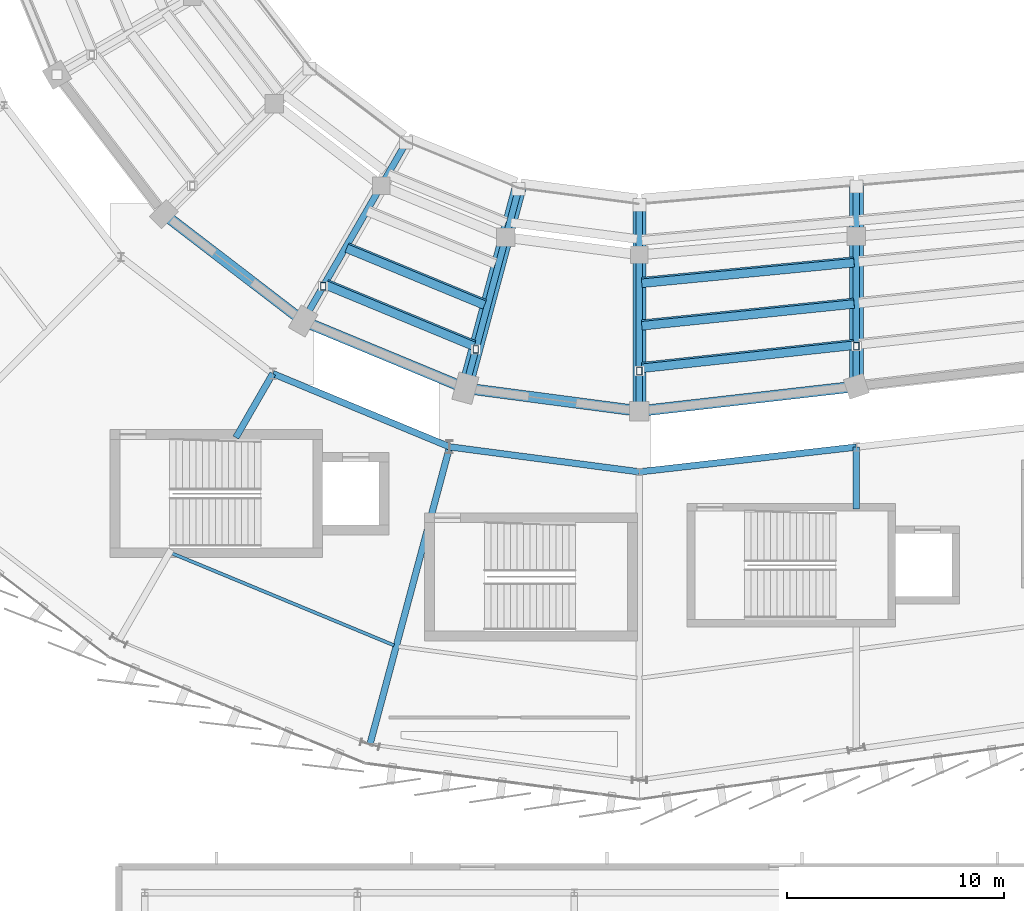
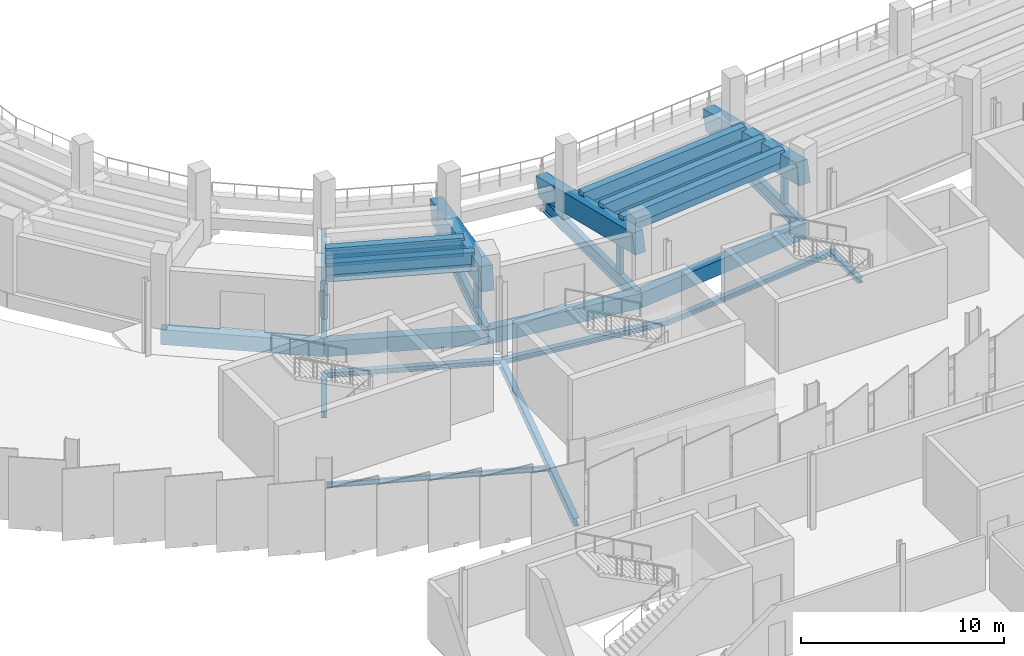
# One storey, part 37 of 120: 28 beams, 4 members.
"""IFC4 building model written with IfcOpenShell, lengths in metres."""

from ifc_helpers import new_model, si_unit, direction, frame, origin, origin_2d, place, context, subcontext, project, spatial, rectangle, hollow_rectangle, i_section, extrude, material, material_profile, profile_set, type_object, element, save


model = new_model("IFC4")

# Units and contexts
model_context = context("Model", 3, precision=1e-05, world=origin(), true_north=direction((0.0, 1.0)))
body_context = subcontext(model_context, "Body", "Model", "MODEL_VIEW")
ifc_project = project(units=[si_unit("LENGTHUNIT", "METRE"), si_unit("AREAUNIT", "SQUARE_METRE"), si_unit("VOLUMEUNIT", "CUBIC_METRE"), si_unit("PLANEANGLEUNIT", "RADIAN"), si_unit("MASSUNIT", "GRAM", prefix="KILO")], contexts=[model_context])

# Site, building, storey
site_placement = place(None, origin())
site = spatial("IfcSite", under=ifc_project, at=site_placement, CompositionType="ELEMENT")
building_placement = place(site_placement, origin())
building = spatial("IfcBuilding", under=site, at=building_placement, Name="Sohan Crest Arena", CompositionType="ELEMENT")
storey_placement = place(building_placement, frame((0.0, 0.0, 13.5)))
storey = spatial("IfcBuildingStorey", under=building, at=storey_placement, Name="L03", CompositionType="ELEMENT", Elevation=13.5)

# Beams
ifc_material_1 = material(Name="Steel S355", Category="steel")
ifc_material_profile_1 = material_profile(ifc_material_1, i_section(OverallWidth=0.14990234375, OverallDepth=0.300048828125, WebThickness=0.007080078125, FlangeThickness=0.0107421875, at=origin_2d()), Name="IPE 300")
ifc_profile_set_1 = profile_set([ifc_material_profile_1], Name="Steel S355")
beam_type_1 = type_object("IfcBeamType", Name="STR-BM-B01", PredefinedType="JOIST", material=ifc_profile_set_1)
beam_1_placement = place(storey_placement, frame((76.445068359375, 40.447021484375, -0.39990234375), z_axis=(0.923874316241, -0.382696025312, 0.0), x_axis=(0.382696025312, 0.923874316241, 0.0)))
element("IfcBeam", 1, at=beam_1_placement, inside=storey, type_object=beam_type_1, Name="Structural beam J-L03-1442", PredefinedType="JOIST", context=body_context, shape_type="SweptSolid", body=[
    extrude(i_section(OverallWidth=0.14990234375, OverallDepth=0.300048828125, WebThickness=0.007080078125, FlangeThickness=0.0107421875, at=origin_2d()), origin(), (0.0, 0.0, 1.0), 11.0869140625),
])
ifc_material_profile_2 = material_profile(ifc_material_1, i_section(OverallWidth=0.300048828125, OverallDepth=0.300048828125, WebThickness=0.010986328125, FlangeThickness=0.01904296875, at=origin_2d()), Name="HEB 300")
ifc_profile_set_2 = profile_set([ifc_material_profile_2], Name="Steel S355")
beam_type_2 = type_object("IfcBeamType", Name="STR-BM-B12", PredefinedType="BEAM", material=ifc_profile_set_2)
beam_2_placement = place(storey_placement, frame((81.10009765625, 48.72802734375, -0.39990234375), z_axis=(0.923904876385, -0.38262224111, 0.0), x_axis=(0.38262224111, 0.923904876385, 0.0)))
element("IfcBeam", 2, at=beam_2_placement, inside=storey, type_object=beam_type_2, Name="Structural beam G-L03-1440", PredefinedType="BEAM", context=body_context, shape_type="SweptSolid", body=[
    extrude(i_section(OverallWidth=0.300048828125, OverallDepth=0.300048828125, WebThickness=0.010986328125, FlangeThickness=0.01904296875, at=origin_2d()), origin(), (0.0, 0.0, 1.0), 8.8232421875),
])
beam_3_placement = place(storey_placement, frame((89.251953125, 45.35205078125, -0.39990234375), z_axis=(0.991439032147, -0.130570461953, 0.0), x_axis=(0.130570461953, 0.991439032147, 0.0)))
element("IfcBeam", 3, at=beam_3_placement, inside=storey, type_object=beam_type_2, Name="Structural beam G-L03-1444", PredefinedType="BEAM", context=body_context, shape_type="SweptSolid", body=[
    extrude(i_section(OverallWidth=0.300048828125, OverallDepth=0.300048828125, WebThickness=0.010986328125, FlangeThickness=0.01904296875, at=origin_2d()), origin(), (0.0, 0.0, 1.0), 8.823486328125),
])
beam_4_placement = place(storey_placement, frame((98.0, 44.199951171875, -0.39990234375), z_axis=(0.99353032697, 0.113567114035, 0.0), x_axis=(-0.113567114035, 0.99353032697, 0.0)))
element("IfcBeam", 4, at=beam_4_placement, inside=storey, type_object=beam_type_2, Name="Structural beam G-L03-1448", PredefinedType="BEAM", context=body_context, shape_type="SweptSolid", body=[
    extrude(i_section(OverallWidth=0.300048828125, OverallDepth=0.300048828125, WebThickness=0.010986328125, FlangeThickness=0.01904296875, at=origin_2d()), origin(), (0.0, 0.0, 1.0), 10.065185546875),
])
beam_5_placement = place(storey_placement, frame((108.0, 45.343017578125, -0.39990234375), z_axis=(0.0, -1.0, 0.0), x_axis=(1.0, 0.0, 0.0)))
element("IfcBeam", 5, at=beam_5_placement, inside=storey, type_object=beam_type_2, Name="Structural beam G-L03-1451", PredefinedType="BEAM", context=body_context, shape_type="SweptSolid", body=[
    extrude(i_section(OverallWidth=0.300048828125, OverallDepth=0.300048828125, WebThickness=0.010986328125, FlangeThickness=0.01904296875, at=origin_2d()), origin(), (0.0, 0.0, 1.0), 2.863037109375),
])
ifc_material_profile_3 = material_profile(ifc_material_1, i_section(OverallWidth=0.300048828125, OverallDepth=0.39990234375, WebThickness=0.013427734375, FlangeThickness=0.02392578125, at=origin_2d()), Name="HEB 400")
ifc_profile_set_3 = profile_set([ifc_material_profile_3], Name="Steel S355")
beam_type_3 = type_object("IfcBeamType", Name="STR-BM-B13", PredefinedType="BEAM", material=ifc_profile_set_3)
beam_6_placement = place(storey_placement, frame((81.10009765625, 48.72802734375, -0.449951171875), z_axis=(-0.500026652407, -0.866010015463, 0.0), x_axis=(0.866010015463, -0.500026652407, 0.0)))
element("IfcBeam", 6, at=beam_6_placement, inside=storey, type_object=beam_type_3, Name="Structural beam G-L03-1438", PredefinedType="BEAM", context=body_context, shape_type="SweptSolid", body=[
    extrude(i_section(OverallWidth=0.300048828125, OverallDepth=0.39990234375, WebThickness=0.013427734375, FlangeThickness=0.02392578125, at=origin_2d()), origin(), (0.0, 0.0, 1.0), 3.404052734375),
])
ifc_material_profile_4 = material_profile(ifc_material_1, i_section(OverallWidth=0.300048828125, OverallDepth=0.5, WebThickness=0.014404296875, FlangeThickness=0.028076171875, at=origin_2d()), Name="HEB 500")
ifc_profile_set_4 = profile_set([ifc_material_profile_4], Name="Steel S355")
beam_type_4 = type_object("IfcBeamType", Name="STR-BM-B14", PredefinedType="BEAM", material=ifc_profile_set_4)
beam_7_placement = place(storey_placement, frame((89.251953125, 45.35205078125, -0.5), z_axis=(-0.258808560729, -0.965928635508, 0.0), x_axis=(0.965928635508, -0.258808560729, 0.0)))
element("IfcBeam", 7, at=beam_7_placement, inside=storey, type_object=beam_type_4, Name="Structural beam G-L03-1443", PredefinedType="BEAM", context=body_context, shape_type="SweptSolid", body=[
    extrude(i_section(OverallWidth=0.300048828125, OverallDepth=0.5, WebThickness=0.014404296875, FlangeThickness=0.028076171875, at=origin_2d()), origin(), (0.0, 0.0, 1.0), 14.199951171875),
])
ifc_material_profile_5 = material_profile(ifc_material_1, i_section(OverallWidth=0.300048828125, OverallDepth=0.800048828125, WebThickness=0.017578125, FlangeThickness=0.032958984375, at=origin_2d()), Name="HEB 800")
ifc_profile_set_5 = profile_set([ifc_material_profile_5], Name="Steel S355")
beam_type_5 = type_object("IfcBeamType", Name="STR-BM-B17", PredefinedType="BEAM", material=ifc_profile_set_5)
beam_8_placement = place(storey_placement, frame((82.5, 51.153076171875, -0.64990234375), z_axis=(0.49996417568, 0.866046085977, 0.0), x_axis=(-0.866046085977, 0.49996417568, 0.0)))
element("IfcBeam", 8, at=beam_8_placement, inside=storey, type_object=beam_type_5, Name="Structural beam GC-L03-0842", PredefinedType="BEAM", context=body_context, shape_type="SweptSolid", body=[
    extrude(i_section(OverallWidth=0.300048828125, OverallDepth=0.800048828125, WebThickness=0.017578125, FlangeThickness=0.032958984375, at=origin_2d()), origin(), (0.0, 0.0, 1.0), 9.500732421875),
])
beam_9_placement = place(storey_placement, frame((89.97705078125, 48.055908203125, -0.64990234375), z_axis=(0.258724524678, 0.965951148004, 0.0), x_axis=(-0.965951148004, 0.258724524678, 0.0)))
element("IfcBeam", 9, at=beam_9_placement, inside=storey, type_object=beam_type_5, Name="Structural beam GC-L03-0845", PredefinedType="BEAM", context=body_context, shape_type="SweptSolid", body=[
    extrude(i_section(OverallWidth=0.300048828125, OverallDepth=0.800048828125, WebThickness=0.017578125, FlangeThickness=0.032958984375, at=origin_2d()), origin(), (0.0, 0.0, 1.0), 9.50048828125),
])
beam_10_placement = place(storey_placement, frame((98.0, 47.0, -0.64990234375), z_axis=(0.0, 1.0, 0.0), x_axis=(-1.0, 0.0, 0.0)))
element("IfcBeam", 10, at=beam_10_placement, inside=storey, type_object=beam_type_5, Name="Structural beam GC-L03-0848", PredefinedType="BEAM", context=body_context, shape_type="SweptSolid", body=[
    extrude(i_section(OverallWidth=0.300048828125, OverallDepth=0.800048828125, WebThickness=0.017578125, FlangeThickness=0.032958984375, at=origin_2d()), origin(), (0.0, 0.0, 1.0), 9.5),
])
beam_11_placement = place(storey_placement, frame((108.0, 48.14306640625, -0.64990234375), z_axis=(0.0, 1.0, 0.0), x_axis=(-1.0, 0.0, 0.0)))
element("IfcBeam", 11, at=beam_11_placement, inside=storey, type_object=beam_type_5, Name="Structural beam GC-L03-0851", PredefinedType="BEAM", context=body_context, shape_type="SweptSolid", body=[
    extrude(i_section(OverallWidth=0.300048828125, OverallDepth=0.800048828125, WebThickness=0.017578125, FlangeThickness=0.032958984375, at=origin_2d()), origin(), (0.0, 0.0, 1.0), 9.2138671875),
])
ifc_material_2 = material(Name="Precast concrete C50/60", Category="concrete")
ifc_material_profile_6 = material_profile(ifc_material_2, rectangle(XDim=0.60009765625, YDim=1.199951171875, at=origin_2d()), Name="RAKER 600x1200")
ifc_profile_set_6 = profile_set([ifc_material_profile_6], Name="Precast concrete C50/60")
beam_type_6 = type_object("IfcBeamType", Name="STR-BM-RK04", PredefinedType="USERDEFINED", material=ifc_profile_set_6)
beam_12_placement = place(storey_placement, frame((98.0, 56.5, 0.35009765625), z_axis=(0.0, -0.971925616524, 0.235288325135), x_axis=(1.0, 0.0, 0.0)))
element("IfcBeam", 12, at=beam_12_placement, inside=storey, type_object=beam_type_6, Name="Structural beam RKU-L03-0849", ObjectType="RAKER", PredefinedType="USERDEFINED", context=body_context, shape_type="SweptSolid", body=[
    extrude(rectangle(XDim=0.60009765625, YDim=1.199951171875, at=origin_2d()), origin(), (0.0, 0.0, 1.0), 9.7744140625),
])
ifc_material_profile_7 = material_profile(ifc_material_2, rectangle(XDim=0.64990234375, YDim=1.25, at=origin_2d()), Name="RAKER 650x1250")
ifc_profile_set_7 = profile_set([ifc_material_profile_7], Name="Precast concrete C50/60")
beam_type_7 = type_object("IfcBeamType", Name="STR-BM-RK05", PredefinedType="USERDEFINED", material=ifc_profile_set_7)
beam_13_placement = place(storey_placement, frame((108.0, 57.35693359375, 0.35009765625), z_axis=(0.0, -0.970233167612, 0.242172666638), x_axis=(1.0, 0.0, 0.0)))
element("IfcBeam", 13, at=beam_13_placement, inside=storey, type_object=beam_type_7, Name="Structural beam RKU-L03-0852", ObjectType="RAKER", PredefinedType="USERDEFINED", context=body_context, shape_type="SweptSolid", body=[
    extrude(rectangle(XDim=0.64990234375, YDim=1.25, at=origin_2d()), origin(), (0.0, 0.0, 1.0), 9.49658203125),
])
ifc_material_profile_8 = material_profile(ifc_material_2, rectangle(XDim=0.64990234375, YDim=1.35009765625, at=origin_2d()), Name="RAKER 650x1350")
ifc_profile_set_8 = profile_set([ifc_material_profile_8], Name="Precast concrete C50/60")
beam_type_8 = type_object("IfcBeamType", Name="STR-BM-RK06", PredefinedType="USERDEFINED", material=ifc_profile_set_8)
beam_14_placement = place(storey_placement, frame((92.43505859375, 57.23291015625, 0.35009765625), z_axis=(-0.251461700111, -0.938835304477, 0.235277037649), x_axis=(0.965951148004, -0.258724524678, 0.0)))
element("IfcBeam", 14, at=beam_14_placement, inside=storey, type_object=beam_type_8, Name="Structural beam RKU-L03-0846", ObjectType="RAKER", PredefinedType="USERDEFINED", context=body_context, shape_type="SweptSolid", body=[
    extrude(rectangle(XDim=0.64990234375, YDim=1.35009765625, at=origin_2d()), origin(), (0.0, 0.0, 1.0), 9.77490234375),
])
ifc_material_3 = material(Name="Concrete C40/50", Category="concrete")
ifc_material_profile_9 = material_profile(ifc_material_3, rectangle(XDim=0.39990234375, YDim=0.699951171875, at=origin_2d()), Name="RC-BM 400x700")
ifc_profile_set_9 = profile_set([ifc_material_profile_9], Name="Concrete C40/50")
beam_type_9 = type_object("IfcBeamType", Name="STR-BM-TB01", PredefinedType="BEAM", material=ifc_profile_set_9)
beam_15_placement = place(storey_placement, frame((84.5400390625, 54.573974609375, 1.77587890625), z_axis=(0.924457430112, -0.38128527366, 0.0), x_axis=(0.38128527366, 0.924457430112, 0.0)))
element("IfcBeam", 15, at=beam_15_placement, inside=storey, type_object=beam_type_9, Name="Upper tier rear stringer TSB-U090B", PredefinedType="BEAM", context=body_context, shape_type="SweptSolid", body=[
    extrude(rectangle(XDim=0.39990234375, YDim=0.699951171875, at=origin_2d()), origin(), (0.0, 0.0, 1.0), 6.855712890625),
])
beam_16_placement = place(storey_placement, frame((84.501953125, 54.506103515625, 2.236083984375), z_axis=(0.924476463499, -0.381239122383, 0.0), x_axis=(0.381239122383, 0.924476463499, 0.0)))
element("IfcBeam", 16, at=beam_16_placement, inside=storey, type_object=beam_type_9, Name="Upper tier front stringer TSB-U091A", PredefinedType="BEAM", context=body_context, shape_type="SweptSolid", body=[
    extrude(rectangle(XDim=0.39990234375, YDim=0.699951171875, at=origin_2d()), origin(), (0.0, 0.0, 1.0), 6.875244140625),
])
beam_17_placement = place(storey_placement, frame((83.590087890625, 52.8759765625, 2.236083984375), z_axis=(0.924161566346, -0.382001831527, 0.0), x_axis=(0.382001831527, 0.924161566346, 0.0)))
element("IfcBeam", 17, at=beam_17_placement, inside=storey, type_object=beam_type_9, Name="Upper tier rear stringer TSB-U091B", PredefinedType="BEAM", context=body_context, shape_type="SweptSolid", body=[
    extrude(rectangle(XDim=0.39990234375, YDim=0.699951171875, at=origin_2d()), origin(), (0.0, 0.0, 1.0), 7.353515625),
])
beam_18_placement = place(storey_placement, frame((83.552001953125, 52.80908203125, 2.696044921875), z_axis=(0.924105939997, -0.382136378355, 0.0), x_axis=(0.382136378355, 0.924105939997, 0.0)))
element("IfcBeam", 18, at=beam_18_placement, inside=storey, type_object=beam_type_9, Name="Upper tier front stringer TSB-U092A", PredefinedType="BEAM", context=body_context, shape_type="SweptSolid", body=[
    extrude(rectangle(XDim=0.39990234375, YDim=0.699951171875, at=origin_2d()), origin(), (0.0, 0.0, 1.0), 7.37451171875),
])
for number, where, z_axis, x_axis, name in (
    (19, (98.10888671875, 52.968994140625, 1.31591796875), (0.995337020506, 0.09645836205, 0.0), (-0.09645836205, 0.995337020506, 0.0), "Upper tier rear stringer TSB-U103B"),
    (20, (98.10888671875, 52.89111328125, 1.77587890625), (0.995327475859, 0.096556800905, 0.0), (-0.096556800905, 0.995327475859, 0.0), "Upper tier front stringer TSB-U104A"),
):
    element("IfcBeam", number, at=place(storey_placement, frame(where, z_axis=z_axis, x_axis=x_axis)), inside=storey, type_object=beam_type_9, Name=name, PredefinedType="BEAM", context=body_context, shape_type="SweptSolid", body=[
        extrude(rectangle(XDim=0.39990234375, YDim=0.699951171875, at=origin_2d()), origin(), (0.0, 0.0, 1.0), 9.828125),
    ])
beam_19_placement = place(storey_placement, frame((98.10888671875, 51.009033203125, 1.77587890625), z_axis=(0.994765143876, 0.10218761436, 0.0), x_axis=(-0.10218761436, 0.994765143876, 0.0)))
element("IfcBeam", 21, at=beam_19_placement, inside=storey, type_object=beam_type_9, Name="Upper tier rear stringer TSB-U104B", PredefinedType="BEAM", context=body_context, shape_type="SweptSolid", body=[
    extrude(rectangle(XDim=0.39990234375, YDim=0.699951171875, at=origin_2d()), origin(), (0.0, 0.0, 1.0), 9.833740234375),
])
beam_20_placement = place(storey_placement, frame((98.10888671875, 50.930908203125, 2.236083984375), z_axis=(0.994742406315, 0.102408715834, 0.0), x_axis=(-0.102408715834, 0.994742406315, 0.0)))
element("IfcBeam", 22, at=beam_20_placement, inside=storey, type_object=beam_type_9, Name="Upper tier front stringer TSB-U105A", PredefinedType="BEAM", context=body_context, shape_type="SweptSolid", body=[
    extrude(rectangle(XDim=0.39990234375, YDim=0.699951171875, at=origin_2d()), origin(), (0.0, 0.0, 1.0), 9.833984375),
])
for number, where, z_axis, x_axis, name in (
    (23, (98.10888671875, 49.050048828125, 2.236083984375), (0.994179641162, 0.107735050462, 0.0), (-0.107735050462, 0.994179641162, 0.0), "Upper tier rear stringer TSB-U105B"),
    (24, (98.10888671875, 48.971923828125, 2.696044921875), (0.994158361485, 0.107931238706, 0.0), (-0.107931238706, 0.994158361485, 0.0), "Upper tier front stringer TSB-U106A"),
):
    element("IfcBeam", number, at=place(storey_placement, frame(where, z_axis=z_axis, x_axis=x_axis)), inside=storey, type_object=beam_type_9, Name=name, PredefinedType="BEAM", context=body_context, shape_type="SweptSolid", body=[
        extrude(rectangle(XDim=0.39990234375, YDim=0.699951171875, at=origin_2d()), origin(), (0.0, 0.0, 1.0), 9.839599609375),
    ])
ifc_material_profile_10 = material_profile(ifc_material_3, rectangle(XDim=0.5, YDim=0.89990234375, at=origin_2d()), Name="RC-BM 500x900")
ifc_profile_set_10 = profile_set([ifc_material_profile_10], Name="Concrete C40/50")
beam_type_10 = type_object("IfcBeamType", Name="STR-BM-TB03", PredefinedType="BEAM", material=ifc_profile_set_10)
beam_21_placement = place(storey_placement, frame((76.080078125, 56.080078125, -0.699951171875), z_axis=(0.793304243257, -0.608825408167, 0.0), x_axis=(0.608825408167, 0.793304243257, 0.0)))
element("IfcBeam", 25, at=beam_21_placement, inside=storey, type_object=beam_type_10, Name="Structural beam TB-L03-0273", PredefinedType="BEAM", context=body_context, shape_type="SweptSolid", body=[
    extrude(rectangle(XDim=0.5, YDim=0.89990234375, at=origin_2d()), origin(), (0.0, 0.0, 1.0), 8.092529296875),
])
beam_22_placement = place(storey_placement, frame((82.5, 51.153076171875, -0.699951171875), z_axis=(0.923876381497, -0.382691039498, 0.0), x_axis=(0.382691039498, 0.923876381497, 0.0)))
element("IfcBeam", 26, at=beam_22_placement, inside=storey, type_object=beam_type_10, Name="Structural beam TB-L03-0295", PredefinedType="BEAM", context=body_context, shape_type="SweptSolid", body=[
    extrude(rectangle(XDim=0.5, YDim=0.89990234375, at=origin_2d()), origin(), (0.0, 0.0, 1.0), 8.093017578125),
])
beam_23_placement = place(storey_placement, frame((89.97705078125, 48.055908203125, -0.699951171875), z_axis=(0.99145018748, -0.130485730048, 0.0), x_axis=(0.130485730048, 0.99145018748, 0.0)))
element("IfcBeam", 27, at=beam_23_placement, inside=storey, type_object=beam_type_10, Name="Structural beam TB-L03-0317", PredefinedType="BEAM", context=body_context, shape_type="SweptSolid", body=[
    extrude(rectangle(XDim=0.5, YDim=0.89990234375, at=origin_2d()), origin(), (0.0, 0.0, 1.0), 8.092041015625),
])
beam_24_placement = place(storey_placement, frame((98.0, 47.0, -0.699951171875), z_axis=(0.99353032697, 0.113567114035, 0.0), x_axis=(-0.113567114035, 0.99353032697, 0.0)))
element("IfcBeam", 28, at=beam_24_placement, inside=storey, type_object=beam_type_10, Name="Structural beam TB-L03-0339", PredefinedType="BEAM", context=body_context, shape_type="SweptSolid", body=[
    extrude(rectangle(XDim=0.5, YDim=0.89990234375, at=origin_2d()), origin(), (0.0, 0.0, 1.0), 10.065185546875),
])

# Members
ifc_material_profile_11 = material_profile(ifc_material_1, hollow_rectangle(XDim=0.25, YDim=0.35009765625, WallThickness=0.012451171875, at=origin_2d()), Name="RHS 350x250x12.5")
ifc_profile_set_11 = profile_set([ifc_material_profile_11], Name="Steel S355")
member_type = type_object("IfcMemberType", Name="STR-MEM-CH04", PredefinedType="CHORD", material=ifc_profile_set_11)
member_1_placement = place(storey_placement, frame((83.425048828125, 52.7548828125, -0.260009765625), z_axis=(0.0, 0.0, 1.0), x_axis=(1.0, 0.0, 0.0)))
element("IfcMember", 29, at=member_1_placement, inside=storey, type_object=member_type, Name="Upper tier rear raker support post RKP-O11", PredefinedType="CHORD", context=body_context, shape_type="SweptSolid", body=[
    extrude(hollow_rectangle(XDim=0.25, YDim=0.35009765625, WallThickness=0.012451171875, at=origin_2d()), origin(), (0.0, 0.0, 1.0), 2.135009765625),
])
member_2_placement = place(storey_placement, frame((90.4560546875, 49.843017578125, -0.260009765625), z_axis=(0.0, 0.0, 1.0), x_axis=(1.0, 0.0, 0.0)))
element("IfcMember", 30, at=member_2_placement, inside=storey, type_object=member_type, Name="Upper tier rear raker support post RKP-O12", PredefinedType="CHORD", context=body_context, shape_type="SweptSolid", body=[
    extrude(hollow_rectangle(XDim=0.25, YDim=0.35009765625, WallThickness=0.012451171875, at=origin_2d()), origin(), (0.0, 0.0, 1.0), 2.0849609375),
])
member_3_placement = place(storey_placement, frame((98.0, 48.85009765625, -0.260009765625), z_axis=(0.0, 0.0, 1.0), x_axis=(1.0, 0.0, 0.0)))
element("IfcMember", 31, at=member_3_placement, inside=storey, type_object=member_type, Name="Upper tier rear raker support post RKP-O13", PredefinedType="CHORD", context=body_context, shape_type="SweptSolid", body=[
    extrude(hollow_rectangle(XDim=0.25, YDim=0.35009765625, WallThickness=0.012451171875, at=origin_2d()), origin(), (0.0, 0.0, 1.0), 2.159912109375),
])
member_4_placement = place(storey_placement, frame((108.0, 49.992919921875, -0.260009765625), z_axis=(0.0, 0.0, 1.0), x_axis=(1.0, 0.0, 0.0)))
element("IfcMember", 32, at=member_4_placement, inside=storey, type_object=member_type, Name="Upper tier rear raker support post RKP-O14", PredefinedType="CHORD", context=body_context, shape_type="SweptSolid", body=[
    extrude(hollow_rectangle(XDim=0.25, YDim=0.35009765625, WallThickness=0.012451171875, at=origin_2d()), origin(), (0.0, 0.0, 1.0), 2.135009765625),
])

save(model, "model.ifc")
